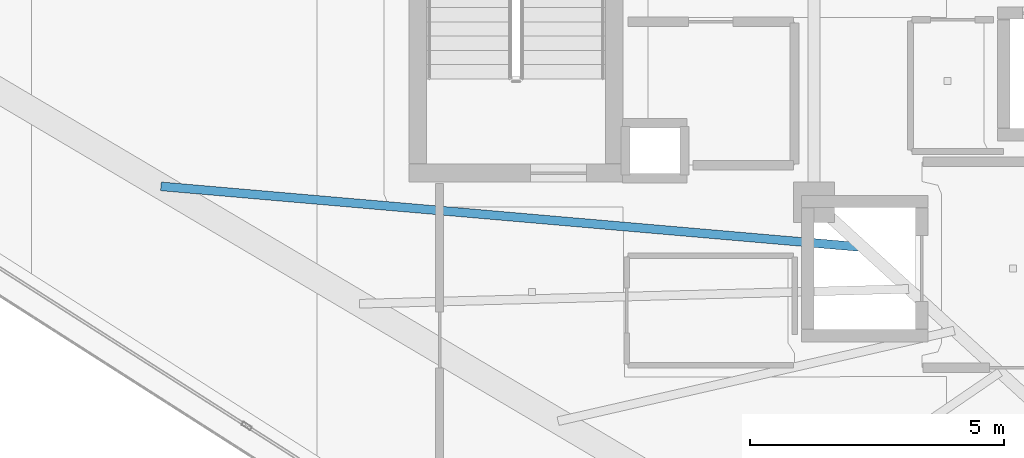
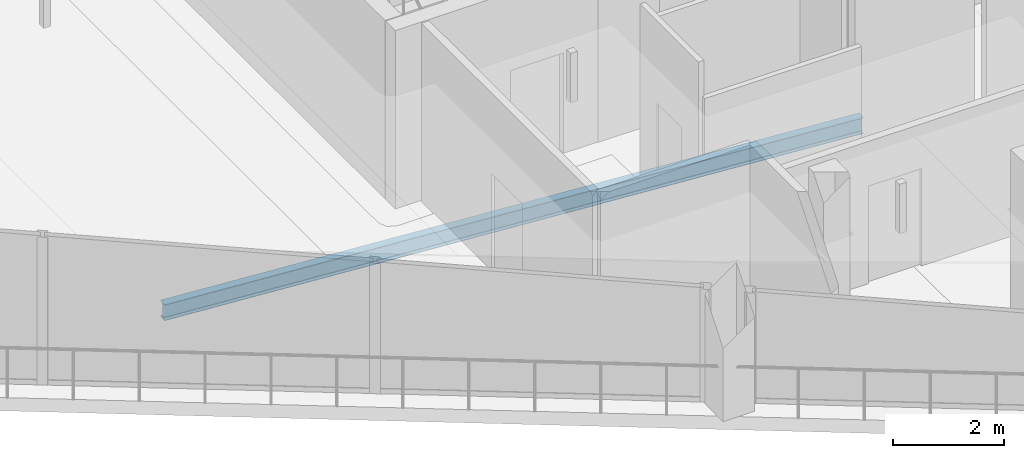
# One storey, part 7 of 33: 1 beam.
"""IFC4 building model written with IfcOpenShell, lengths in metres."""

import ifcopenshell
import ifcopenshell.guid

model = None  # the IFC model being written
_history = None  # IfcOwnerHistory: only IFC2X3 demands one
_inside = {}  # id of a spatial element -> (the spatial element, [elements in it])
_under = {}  # id of a project, library or spatial element -> (it, [spatial elements below it])
_declared = {}  # id of a project -> (the project, [libraries it declares])
_typed = {}  # id of a type object -> (the type object, [elements of that type])
_made_of = {}  # id of a material, layer set ... -> (it, [elements and type objects made of it])


def new_model(schema):
    """Start an empty IFC model of exactly this schema.

    Asked for "IFC4X3", IfcOpenShell would pick the latest addendum, in which some entities
    have other attributes; the version numbers below select the first issue.
    IFC2X3 requires an IfcOwnerHistory on every rooted entity: one is made here for all.
    """
    global model, _history
    if schema == "IFC4X3":
        model = ifcopenshell.file(schema_version=(4, 3, 0, 0))
    else:
        model = ifcopenshell.file(schema=schema)
    _inside.clear()
    _under.clear()
    _declared.clear()
    _typed.clear()
    _made_of.clear()
    _history = None
    if model.schema == "IFC2X3":
        org = make("IfcOrganization", Name="unknown")
        user = make(
            "IfcPersonAndOrganization",
            ThePerson=make("IfcPerson", FamilyName="unknown"),
            TheOrganization=org,
        )
        app = make(
            "IfcApplication",
            ApplicationDeveloper=org,
            Version="unknown",
            ApplicationFullName="unknown",
            ApplicationIdentifier="unknown",
        )
        _history = make(
            "IfcOwnerHistory",
            OwningUser=user,
            OwningApplication=app,
            ChangeAction="ADDED",
            CreationDate=0,
        )
    return model


def make(cls, **values):
    """One entity of the class cls with the attributes given. An attribute that is None is left unset."""
    return model.create_entity(
        cls, **{name: value for name, value in values.items() if value is not None}
    )


def rooted(cls, **values):
    """An entity with a GlobalId (a new one), such as an element, a storey or a relation."""
    return make(cls, GlobalId=ifcopenshell.guid.new(), OwnerHistory=_history, **values)


def si_unit(unit_type, name, prefix=None):
    """IfcSIUnit, for example si_unit("LENGTHUNIT", "METRE", prefix="MILLI")."""
    return make("IfcSIUnit", UnitType=unit_type, Prefix=prefix, Name=name)


def assignment(units):
    """IfcUnitAssignment: the units of a project."""
    return None if units is None else make("IfcUnitAssignment", Units=units)


def point(xyz):
    """IfcCartesianPoint."""
    return None if xyz is None else make("IfcCartesianPoint", Coordinates=xyz)


def direction(xyz):
    """IfcDirection."""
    return None if xyz is None else make("IfcDirection", DirectionRatios=xyz)


def frame(location, z_axis=None, x_axis=None):
    """IfcAxis2Placement3D, a coordinate frame: its origin and axes. An axis left out is left unset."""
    return make(
        "IfcAxis2Placement3D",
        Location=point(location),
        Axis=direction(z_axis),
        RefDirection=direction(x_axis),
    )


def frame_2d(location, x_axis=None):
    """IfcAxis2Placement2D, a coordinate frame in the plane: its origin and x axis."""
    return make(
        "IfcAxis2Placement2D", Location=point(location), RefDirection=direction(x_axis)
    )


def origin():
    """The frame at (0, 0, 0) with its axes left unset."""
    return frame((0.0, 0.0, 0.0))


def origin_2d():
    """The frame at (0, 0) in the plane with its x axis left unset."""
    return frame_2d((0.0, 0.0))


def place(relative_to, where):
    """IfcLocalPlacement: puts the frame where relative to a parent placement (None: the world)."""
    return make(
        "IfcLocalPlacement", PlacementRelTo=relative_to, RelativePlacement=where
    )


def context(
    kind, dimensions, precision=None, world=None, true_north=None, identifier=None
):
    """IfcGeometricRepresentationContext, for example the 3D "Model" context."""
    return make(
        "IfcGeometricRepresentationContext",
        ContextIdentifier=identifier,
        ContextType=kind,
        CoordinateSpaceDimension=dimensions,
        Precision=precision,
        WorldCoordinateSystem=world,
        TrueNorth=true_north,
    )


def subcontext(parent, identifier, kind, view, scale=None):
    """IfcGeometricRepresentationSubContext, for example "Body" below "Model"."""
    return make(
        "IfcGeometricRepresentationSubContext",
        ContextIdentifier=identifier,
        ContextType=kind,
        ParentContext=parent,
        TargetScale=scale,
        TargetView=view,
    )


def project(units=None, contexts=None):
    """IfcProject with its units and contexts."""
    return rooted(
        "IfcProject",
        Name="project",
        RepresentationContexts=contexts,
        UnitsInContext=assignment(units),
    )


def spatial(cls, under=None, at=None, **own):
    """A site, building, storey or space (cls), placed at a placement, below another one or the project."""
    s = rooted(cls, ObjectPlacement=at, **own)
    if under is not None:
        _under.setdefault(under.id(), (under, []))[1].append(s)
    return s


def profile(cls, at=None, kind="AREA", **sizes):
    """A parametric profile (cls). Its sizes go by their IFC names, for example OverallWidth=200.0."""
    return make(cls, ProfileType=kind, Position=at, **sizes)


def i_section(**sizes):
    """IfcIShapeProfileDef."""
    return profile("IfcIShapeProfileDef", **sizes)


def extrude(swept, where, along, depth):
    """IfcExtrudedAreaSolid: the profile swept, set in the frame where, extruded along a direction by depth."""
    return make(
        "IfcExtrudedAreaSolid",
        SweptArea=swept,
        Position=where,
        ExtrudedDirection=direction(along),
        Depth=depth,
    )


def shape(context_of_items, identifier, shape_type, items):
    """IfcShapeRepresentation: the items that make up one representation, for example the "Body"."""
    return make(
        "IfcShapeRepresentation",
        ContextOfItems=context_of_items,
        RepresentationIdentifier=identifier,
        RepresentationType=shape_type,
        Items=items,
    )


def material(Name=None, Category=None):
    """IfcMaterial."""
    return make("IfcMaterial", Name=Name, Category=Category)


def material_profile(
    of_material, cross_section, Name=None, Category=None, Priority=None
):
    """IfcMaterialProfile: a cross section and its material."""
    return make(
        "IfcMaterialProfile",
        Name=Name,
        Material=of_material,
        Profile=cross_section,
        Priority=Priority,
        Category=Category,
    )


def profile_set(profiles, Name=None, composite=None):
    """IfcMaterialProfileSet."""
    return make(
        "IfcMaterialProfileSet",
        Name=Name,
        MaterialProfiles=profiles,
        CompositeProfile=composite,
    )


def made_of(thing, what):
    """Note that an element or type object is made of a material, layer set ...; save() writes the relation."""
    if what is not None:
        _made_of.setdefault(what.id(), (what, []))[1].append(thing)
    return thing


def type_object(cls, material=None, **own):
    """A type object (cls), such as IfcWallType, which elements share."""
    return made_of(rooted(cls, **own), material)


def element(
    cls,
    number,
    at=None,
    inside=None,
    cuts=None,
    type_object=None,
    material=None,
    context=None,
    identifier="Body",
    shape_type=None,
    held_by="IfcProductDefinitionShape",
    body=None,
    shapes=None,
    **own,
):
    """One element of the class cls, such as IfcWall. Its Tag is "e" and its number.

    at: its placement. inside: the storey or other place that contains it. cuts: it is an
    opening in that element (IfcRelVoidsElement). A single representation is given by context,
    identifier, shape_type and body (its items); several are given by shapes. held_by: the class
    of the entity that holds the representations. save() writes the other relations.
    """
    e = rooted(cls, Tag="e%d" % number, ObjectPlacement=at, **own)
    if body is not None:
        shapes = [shape(context, identifier, shape_type, body)]
    if shapes is not None:
        e.Representation = make(held_by, Representations=shapes)
    if inside is not None:
        _inside.setdefault(inside.id(), (inside, []))[1].append(e)
    if cuts is not None:
        rooted(
            "IfcRelVoidsElement", RelatingBuildingElement=cuts, RelatedOpeningElement=e
        )
    if type_object is not None:
        _typed.setdefault(type_object.id(), (type_object, []))[1].append(e)
    return made_of(e, material)


def aggregate(whole, parts):
    """IfcRelAggregates: a whole, such as a stair, and the parts it consists of."""
    return rooted("IfcRelAggregates", RelatingObject=whole, RelatedObjects=parts)


def save(model, path):
    """Write the relations noted so far, then the file.

    IfcRelAggregates (storeys below a building ...), IfcRelContainedInSpatialStructure (elements
    in a storey), IfcRelDefinesByType, IfcRelAssociatesMaterial and IfcRelDeclares: one each for
    every whole, place, type object, material and project.
    """
    for whole, parts in _under.values():
        aggregate(whole, parts)
    for where, things in _inside.values():
        rooted(
            "IfcRelContainedInSpatialStructure",
            RelatedElements=things,
            RelatingStructure=where,
        )
    for kind, things in _typed.values():
        rooted("IfcRelDefinesByType", RelatedObjects=things, RelatingType=kind)
    for what, things in _made_of.values():
        rooted("IfcRelAssociatesMaterial", RelatedObjects=things, RelatingMaterial=what)
    for by, libraries in _declared.values():
        rooted("IfcRelDeclares", RelatingContext=by, RelatedDefinitions=libraries)
    model.write(path)


model = new_model("IFC4")

# Units and contexts
model_context = context("Model", 3, precision=1e-05, world=origin(), true_north=direction((0.0, 1.0)))
body_context = subcontext(model_context, "Body", "Model", "MODEL_VIEW")
ifc_project = project(units=[si_unit("LENGTHUNIT", "METRE"), si_unit("AREAUNIT", "SQUARE_METRE"), si_unit("VOLUMEUNIT", "CUBIC_METRE"), si_unit("PLANEANGLEUNIT", "RADIAN"), si_unit("MASSUNIT", "GRAM", prefix="KILO")], contexts=[model_context])

# Site, building, storey
site_placement = place(None, origin())
site = spatial("IfcSite", under=ifc_project, at=site_placement, CompositionType="ELEMENT")
building_placement = place(site_placement, origin())
building = spatial("IfcBuilding", under=site, at=building_placement, Name="Qorvath Tower", CompositionType="ELEMENT")
storey_placement = place(building_placement, frame((0.0, 0.0, 280.800048828125)))
storey = spatial("IfcBuildingStorey", under=building, at=storey_placement, Name="L65", CompositionType="ELEMENT", Elevation=280.800048828125)

# Beam
ifc_material = material(Name="Steel ASTM A992 Grade 50", Category="steel")
ifc_material_profile = material_profile(ifc_material, i_section(OverallWidth=0.1708984375, OverallDepth=0.35107421875, WebThickness=0.0068359375, FlangeThickness=0.009765625, FilletRadius=0.010009765625, at=origin_2d()), Name="W14x30")
ifc_profile_set = profile_set([ifc_material_profile], Name="Steel ASTM A992 Grade 50")
beam_type = type_object("IfcBeamType", Name="BM-FJ4", PredefinedType="JOIST", material=ifc_profile_set)
beam_placement = place(storey_placement, frame((-29.533935546875, -6.031982421875, -0.465576171875), z_axis=(-0.996257895131, 0.086430355719, 0.0), x_axis=(-0.086430355719, -0.996257895131, 0.0)))
element("IfcBeam", 1, at=beam_placement, inside=storey, type_object=beam_type, Name="Composite Floor Joist SW1 L65", PredefinedType="JOIST", context=body_context, shape_type="SweptSolid", body=[
    extrude(i_section(OverallWidth=0.1708984375, OverallDepth=0.35107421875, WebThickness=0.0068359375, FlangeThickness=0.009765625, FilletRadius=0.010009765625, at=origin_2d()), origin(), (0.0, 0.0, 1.0), 13.852294921875),
])

save(model, "model.ifc")
